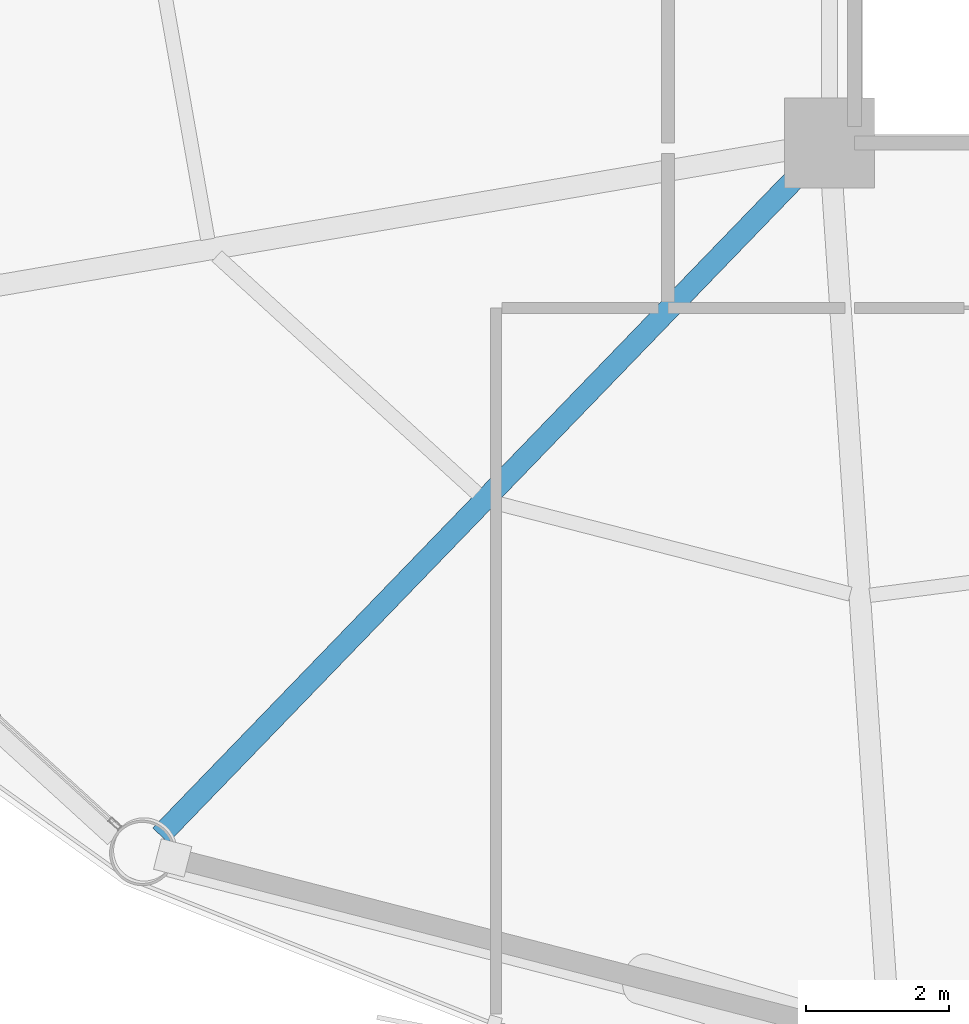
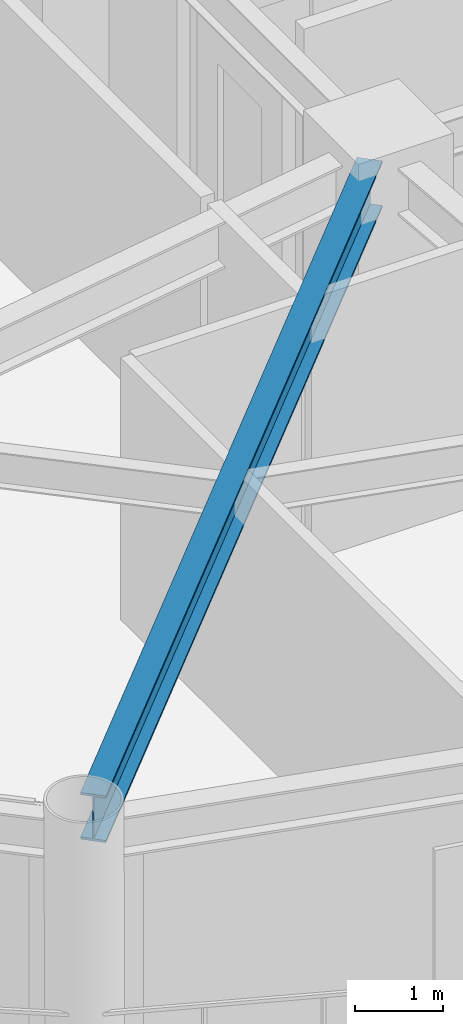
# One storey, part 4 of 26: 1 beam.
"""IFC4 building model written with IfcOpenShell, lengths in metres."""

from ifc_helpers import new_model, si_unit, direction, frame, origin, origin_2d, place, context, subcontext, project, spatial, i_section, extrude, material, material_profile, profile_set, type_object, element, save


model = new_model("IFC4")

# Units and contexts
model_context = context("Model", 3, precision=1e-05, world=origin(), true_north=direction((0.0, 1.0)))
body_context = subcontext(model_context, "Body", "Model", "MODEL_VIEW")
ifc_project = project(units=[si_unit("LENGTHUNIT", "METRE"), si_unit("AREAUNIT", "SQUARE_METRE"), si_unit("VOLUMEUNIT", "CUBIC_METRE"), si_unit("PLANEANGLEUNIT", "RADIAN"), si_unit("MASSUNIT", "GRAM", prefix="KILO")], contexts=[model_context])

# Site, building, storey
site_placement = place(None, origin())
site = spatial("IfcSite", under=ifc_project, at=site_placement, CompositionType="ELEMENT")
building_placement = place(site_placement, origin())
building = spatial("IfcBuilding", under=site, at=building_placement, Name="Varnakorn Sky Granary", CompositionType="ELEMENT")
storey_placement = place(building_placement, frame((0.0, 0.0, 47.10009765625)))
storey = spatial("IfcBuildingStorey", under=building, at=storey_placement, Name="L11", CompositionType="ELEMENT", Elevation=47.10009765625)

# Beam
ifc_material = material(Name="Steel S355JR", Category="steel")
ifc_material_profile = material_profile(ifc_material, i_section(OverallWidth=0.300048828125, OverallDepth=0.64990234375, WebThickness=0.01611328125, FlangeThickness=0.031005859375, at=origin_2d()), Name="HE 650 B")
ifc_profile_set = profile_set([ifc_material_profile], Name="Steel S355JR")
beam_type = type_object("IfcBeamType", Name="BM-RAD-Z1", PredefinedType="BEAM", material=ifc_profile_set)
beam_placement = place(storey_placement, frame((-2.641845703125, -6.902099609375, 3.31494140625), z_axis=(-0.69483900728, -0.719165317547, 0.0), x_axis=(0.719165317547, -0.69483900728, 0.0)))
element("IfcBeam", 1, at=beam_placement, inside=storey, type_object=beam_type, Name="Radial Floor Girder RG09 L11", PredefinedType="BEAM", context=body_context, shape_type="SweptSolid", body=[
    extrude(i_section(OverallWidth=0.300048828125, OverallDepth=0.64990234375, WebThickness=0.01611328125, FlangeThickness=0.031005859375, at=origin_2d()), origin(), (0.0, 0.0, 1.0), 13.0068359375),
])

save(model, "model.ifc")
